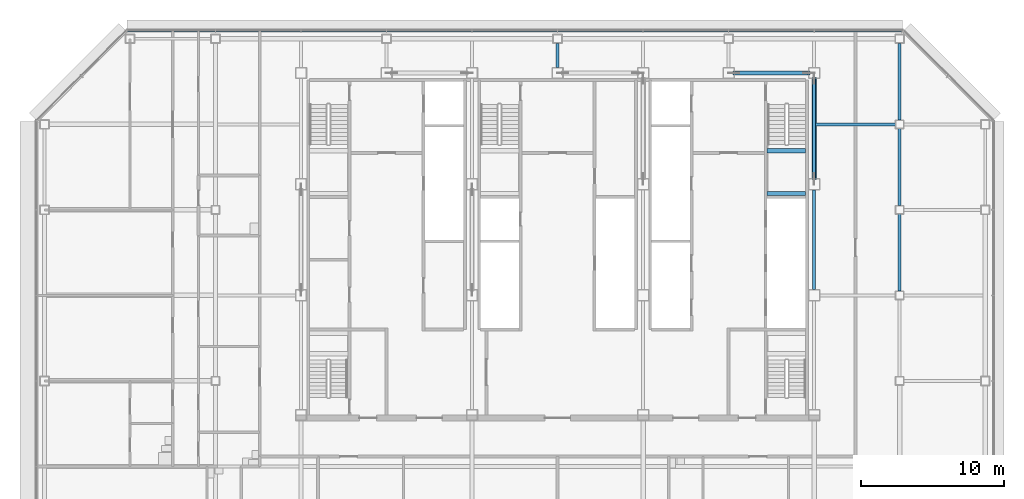
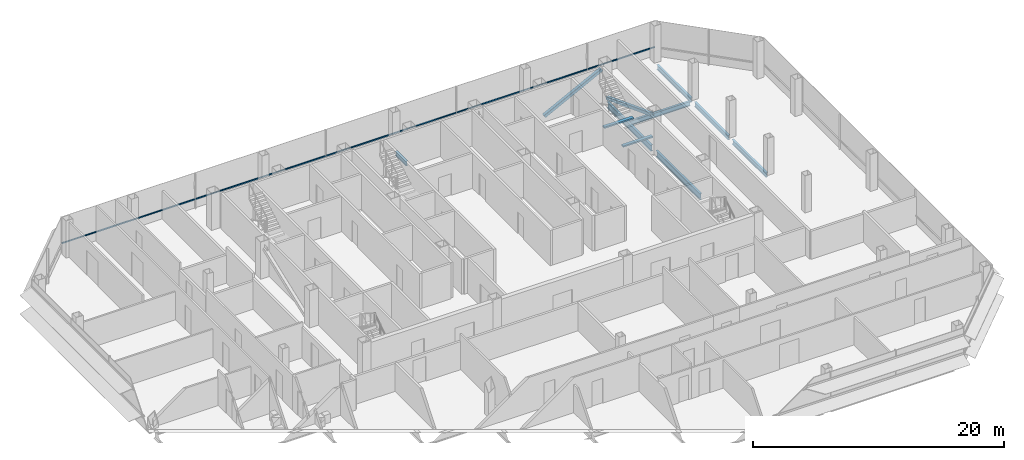
# One storey, part 14 of 26: 9 beams, 3 members, 1 element without a shape of its own.
"""IFC4 building model written with IfcOpenShell, lengths in metres."""

from ifc_helpers import new_model, si_unit, direction, frame, origin, origin_2d, place, context, subcontext, project, spatial, rectangle, hollow_rectangle, i_section, extrude, material, material_profile, profile_set, type_object, element, aggregate, save


model = new_model("IFC4")

# Units and contexts
model_context = context("Model", 3, precision=1e-05, world=origin(), true_north=direction((0.0, 1.0)))
body_context = subcontext(model_context, "Body", "Model", "MODEL_VIEW")
ifc_project = project(units=[si_unit("LENGTHUNIT", "METRE"), si_unit("AREAUNIT", "SQUARE_METRE"), si_unit("VOLUMEUNIT", "CUBIC_METRE"), si_unit("PLANEANGLEUNIT", "RADIAN"), si_unit("MASSUNIT", "GRAM", prefix="KILO")], contexts=[model_context])

# Site, building, storey
site_placement = place(None, origin())
site = spatial("IfcSite", under=ifc_project, at=site_placement, CompositionType="ELEMENT")
building_placement = place(site_placement, origin())
building = spatial("IfcBuilding", under=site, at=building_placement, Name="Sorahane Residences", CompositionType="ELEMENT")
storey_placement = place(building_placement, frame((0.0, 0.0, 215.39990234375)))
storey = spatial("IfcBuildingStorey", under=building, at=storey_placement, Name="L50", CompositionType="ELEMENT", Elevation=215.39990234375)

# Members
ifc_material_1 = material(Name="Steel Q355B", Category="steel")
ifc_material_profile_1 = material_profile(ifc_material_1, hollow_rectangle(XDim=0.300048828125, YDim=0.300048828125, WallThickness=0.01611328125, InnerFilletRadius=0.008056640625, OuterFilletRadius=0.02392578125, at=origin_2d()), Name="RHS 300x300x16")
ifc_profile_set_1 = profile_set([ifc_material_profile_1], Name="Steel Q355B")
member_type_1 = type_object("IfcMemberType", Name="Core brace RHS 300x300x16 Q355B", PredefinedType="BRACE", material=ifc_profile_set_1)
member_1_placement = place(storey_placement, frame((36.35888671875, 45.60009765625, 0.12890625), z_axis=(0.889573339852, 0.0, 0.456792374087), x_axis=(0.0, 1.0, 0.0)))
element("IfcMember", 1, at=member_1_placement, inside=storey, type_object=member_type_1, Name="Core brace L50 y45.6-6", PredefinedType="BRACE", context=body_context, shape_type="SweptSolid", body=[
    extrude(hollow_rectangle(XDim=0.300048828125, YDim=0.300048828125, WallThickness=0.01611328125, InnerFilletRadius=0.008056640625, OuterFilletRadius=0.02392578125, at=origin_2d()), origin(), (0.0, 0.0, 1.0), 5.93798828125),
])
member_2_placement = place(storey_placement, frame((42.0, 45.232177734375, 0.137939453125), z_axis=(0.0, -0.934346475268, 0.35636591329), x_axis=(1.0, 0.0, 0.0)))
element("IfcMember", 2, at=member_2_placement, inside=storey, type_object=member_type_1, Name="Core brace L50 x42-3", PredefinedType="BRACE", context=body_context, shape_type="SweptSolid", body=[
    extrude(hollow_rectangle(XDim=0.300048828125, YDim=0.300048828125, WallThickness=0.01611328125, InnerFilletRadius=0.008056640625, OuterFilletRadius=0.02392578125, at=origin_2d()), origin(), (0.0, 0.0, 1.0), 7.560546875),
])

# Curtain wall, member
ifc_material_2 = material(Name="Dark low-e glass and black anodised aluminium", Category="aluminium")
curtain_wall_type = type_object("IfcCurtainWallType", Name="Curtain wall CW-1 Typical unitised wall", PredefinedType="NOTDEFINED", material=ifc_material_2)
curtain_wall_placement = place(storey_placement, origin())
curtain_wall = element("IfcCurtainWall", 3, at=curtain_wall_placement, inside=storey, type_object=curtain_wall_type, Name="CW-1 curtain wall L50 N1", PredefinedType="NOTDEFINED")
ifc_material_3 = material(Name="Black anodised aluminium", Category="aluminium")
ifc_material_profile_2 = material_profile(ifc_material_3, rectangle(XDim=0.10009765625, YDim=0.06005859375, at=origin_2d()), Name="Curtain wall transom CW-1 black anodised aluminium 60x100")
ifc_profile_set_2 = profile_set([ifc_material_profile_2], Name="Black anodised aluminium")
member_type_2 = type_object("IfcMemberType", Name="Curtain wall transom CW-1 black anodised aluminium 60x100", PredefinedType="USERDEFINED", material=ifc_profile_set_2)
member_3_placement = place(storey_placement, frame((48.198486328125, 48.530029296875, 0.900146484375), z_axis=(-1.0, 0.0, 0.0), x_axis=(0.0, -1.0, 0.0)))
member_3 = element("IfcMember", 4, at=member_3_placement, type_object=member_type_2, Name="CW-1 transom L50 N1", ObjectType="TRANSOM", PredefinedType="USERDEFINED", context=body_context, shape_type="SweptSolid", body=[
    extrude(rectangle(XDim=0.10009765625, YDim=0.06005859375, at=origin_2d()), origin(), (0.0, 0.0, 1.0), 54.39697265625),
])
aggregate(curtain_wall, [member_3])

# Beams
ifc_material_4 = material(Name="Concrete C40", Category="concrete")
ifc_material_profile_3 = material_profile(ifc_material_4, rectangle(XDim=0.300048828125, YDim=0.139892578125, at=origin_2d()), Name="300x140")
ifc_profile_set_3 = profile_set([ifc_material_profile_3], Name="Concrete C40")
beam_type_1 = type_object("IfcBeamType", Name="RC landing beam 300 x 140 Concrete C40", PredefinedType="BEAM", material=ifc_profile_set_3)
for number, where, z_axis, x_axis, name in (
    (5, (38.699951171875, 37.14990234375, 1.530029296875), (1.0, 0.0, 0.0), (0.0, 1.0, 0.0), "Landing beam"),
    (6, (38.699951171875, 40.14990234375, 1.530029296875), (1.0, 0.0, 0.0), (0.0, 1.0, 0.0), "Landing beam"),
):
    element("IfcBeam", number, at=place(storey_placement, frame(where, z_axis=z_axis, x_axis=x_axis)), inside=storey, type_object=beam_type_1, Name=name, PredefinedType="BEAM", context=body_context, shape_type="SweptSolid", body=[
        extrude(rectangle(XDim=0.300048828125, YDim=0.139892578125, at=origin_2d()), origin(), (0.0, 0.0, 1.0), 2.699951171875),
    ])
ifc_material_5 = material(Name="Steel Q355B", Category="steel")
ifc_material_profile_4 = material_profile(ifc_material_5, i_section(OverallWidth=0.199951171875, OverallDepth=0.449951171875, WebThickness=0.009033203125, FlangeThickness=0.013916015625, FilletRadius=0.02001953125, at=origin_2d()), Name="HN 450x200x9x14")
ifc_profile_set_4 = profile_set([ifc_material_profile_4], Name="Steel Q355B")
beam_type_2 = type_object("IfcBeamType", Name="Steel floor beam HN 450x200x9x14 Q355B", PredefinedType="BEAM", material=ifc_profile_set_4)
beam_1_placement = place(storey_placement, frame((24.0, 46.0, -0.40478515625), z_axis=(0.0, 1.0, 0.0), x_axis=(-1.0, 0.0, 0.0)))
element("IfcBeam", 7, at=beam_1_placement, inside=storey, type_object=beam_type_2, Name="Beam L50 043", PredefinedType="BEAM", context=body_context, shape_type="SweptSolid", body=[
    extrude(i_section(OverallWidth=0.199951171875, OverallDepth=0.449951171875, WebThickness=0.009033203125, FlangeThickness=0.013916015625, FilletRadius=0.02001953125, at=origin_2d()), origin(), (0.0, 0.0, 1.0), 1.675048828125),
])
for number, where, z_axis, x_axis, name in (
    (8, (48.0, 30.300048828125, -0.40478515625), (0.0, 1.0, 0.0), (-1.0, 0.0, 0.0), "Beam L50 061"),
    (9, (48.0, 36.300048828125, -0.40478515625), (0.0, 1.0, 0.0), (-1.0, 0.0, 0.0), "Beam L50 062"),
):
    element("IfcBeam", number, at=place(storey_placement, frame(where, z_axis=z_axis, x_axis=x_axis)), inside=storey, type_object=beam_type_2, Name=name, PredefinedType="BEAM", context=body_context, shape_type="SweptSolid", body=[
        extrude(i_section(OverallWidth=0.199951171875, OverallDepth=0.449951171875, WebThickness=0.009033203125, FlangeThickness=0.013916015625, FilletRadius=0.02001953125, at=origin_2d()), origin(), (0.0, 0.0, 1.0), 5.39990234375),
    ])
beam_2_placement = place(storey_placement, frame((48.0, 42.300048828125, -0.40478515625), z_axis=(0.0, 1.0, 0.0), x_axis=(-1.0, 0.0, 0.0)))
element("IfcBeam", 10, at=beam_2_placement, inside=storey, type_object=beam_type_2, Name="Beam L50 063", PredefinedType="BEAM", context=body_context, shape_type="SweptSolid", body=[
    extrude(i_section(OverallWidth=0.199951171875, OverallDepth=0.449951171875, WebThickness=0.009033203125, FlangeThickness=0.013916015625, FilletRadius=0.02001953125, at=origin_2d()), origin(), (0.0, 0.0, 1.0), 5.375),
])
beam_3_placement = place(storey_placement, frame((42.10009765625, 42.0, -0.40478515625), z_axis=(1.0, 0.0, 0.0), x_axis=(0.0, 1.0, 0.0)))
element("IfcBeam", 11, at=beam_3_placement, inside=storey, type_object=beam_type_2, Name="Beam L50 091", PredefinedType="BEAM", context=body_context, shape_type="SweptSolid", body=[
    extrude(i_section(OverallWidth=0.199951171875, OverallDepth=0.449951171875, WebThickness=0.009033203125, FlangeThickness=0.013916015625, FilletRadius=0.02001953125, at=origin_2d()), origin(), (0.0, 0.0, 1.0), 5.599853515625),
])
ifc_material_6 = material(Name="Steel Q355B", Category="steel")
ifc_material_profile_5 = material_profile(ifc_material_6, i_section(OverallWidth=0.199951171875, OverallDepth=0.60009765625, WebThickness=0.010986328125, FlangeThickness=0.01708984375, FilletRadius=0.02392578125, at=origin_2d()), Name="HN 600x200x11x17")
ifc_profile_set_5 = profile_set([ifc_material_profile_5], Name="Steel Q355B")
beam_type_3 = type_object("IfcBeamType", Name="Steel floor beam HN 600x200x11x17 Q355B", PredefinedType="BEAM", material=ifc_profile_set_5)
for number, where, z_axis, x_axis, name in (
    (12, (42.0, 30.39990234375, -0.47998046875), (0.0, 1.0, 0.0), (-1.0, 0.0, 0.0), "Beam L50 055"),
    (13, (42.0, 38.199951171875, -0.47998046875), (0.0, 1.0, 0.0), (-1.0, 0.0, 0.0), "Beam L50 056"),
):
    element("IfcBeam", number, at=place(storey_placement, frame(where, z_axis=z_axis, x_axis=x_axis)), inside=storey, type_object=beam_type_3, Name=name, PredefinedType="BEAM", context=body_context, shape_type="SweptSolid", body=[
        extrude(i_section(OverallWidth=0.199951171875, OverallDepth=0.60009765625, WebThickness=0.010986328125, FlangeThickness=0.01708984375, FilletRadius=0.02392578125, at=origin_2d()), origin(), (0.0, 0.0, 1.0), 7.0),
    ])

save(model, "model.ifc")
